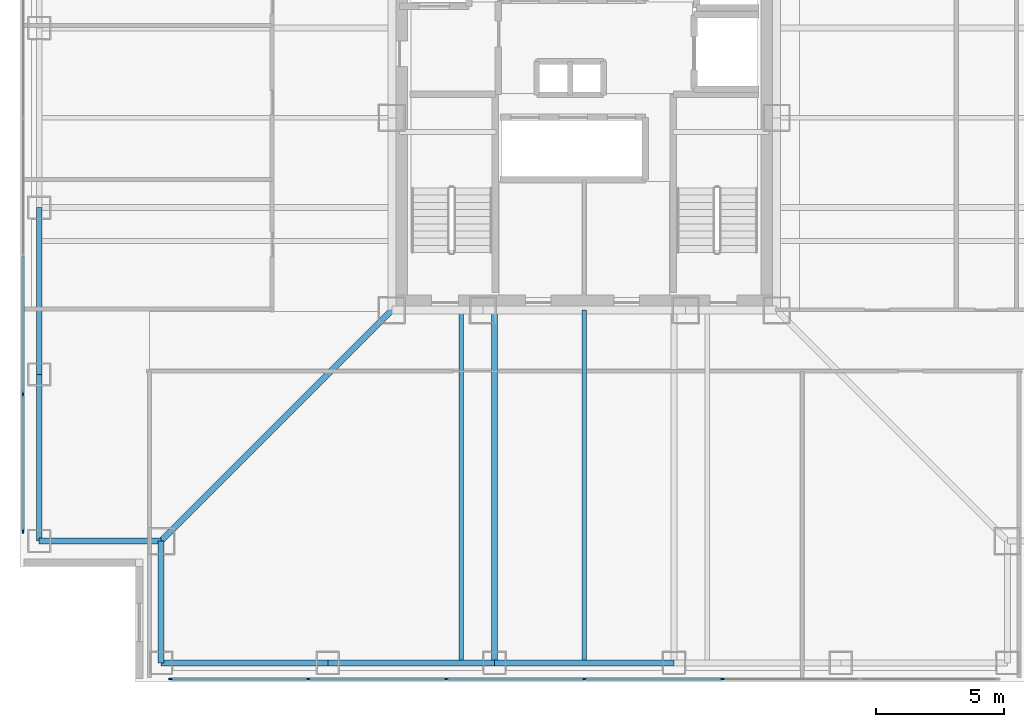
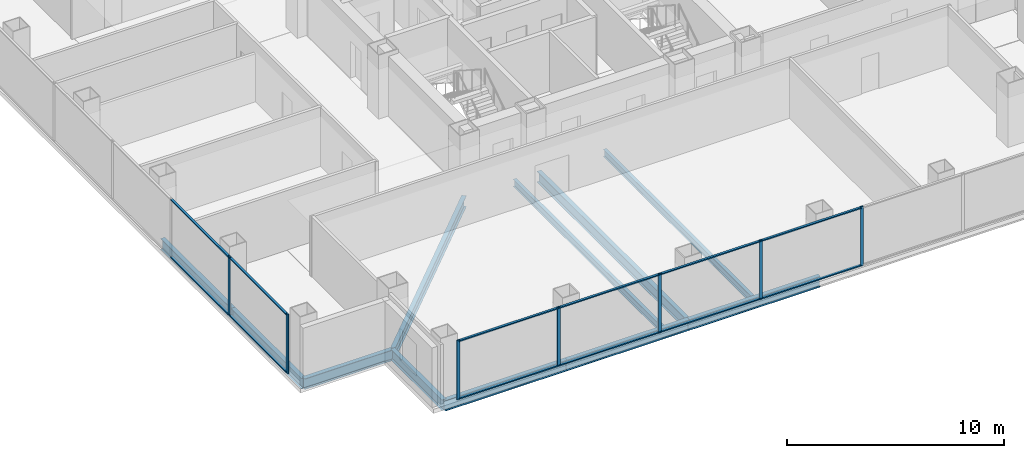
# One storey, part 2 of 14: 19 members, 11 beams, 2 elements without a shape of their own.
"""IFC4 building model written with IfcOpenShell, lengths in metres."""

import ifcopenshell
import ifcopenshell.guid

model = None  # the IFC model being written
_history = None  # IfcOwnerHistory: only IFC2X3 demands one
_inside = {}  # id of a spatial element -> (the spatial element, [elements in it])
_under = {}  # id of a project, library or spatial element -> (it, [spatial elements below it])
_declared = {}  # id of a project -> (the project, [libraries it declares])
_typed = {}  # id of a type object -> (the type object, [elements of that type])
_made_of = {}  # id of a material, layer set ... -> (it, [elements and type objects made of it])


def new_model(schema):
    """Start an empty IFC model of exactly this schema.

    Asked for "IFC4X3", IfcOpenShell would pick the latest addendum, in which some entities
    have other attributes; the version numbers below select the first issue.
    IFC2X3 requires an IfcOwnerHistory on every rooted entity: one is made here for all.
    """
    global model, _history
    if schema == "IFC4X3":
        model = ifcopenshell.file(schema_version=(4, 3, 0, 0))
    else:
        model = ifcopenshell.file(schema=schema)
    _inside.clear()
    _under.clear()
    _declared.clear()
    _typed.clear()
    _made_of.clear()
    _history = None
    if model.schema == "IFC2X3":
        org = make("IfcOrganization", Name="unknown")
        user = make(
            "IfcPersonAndOrganization",
            ThePerson=make("IfcPerson", FamilyName="unknown"),
            TheOrganization=org,
        )
        app = make(
            "IfcApplication",
            ApplicationDeveloper=org,
            Version="unknown",
            ApplicationFullName="unknown",
            ApplicationIdentifier="unknown",
        )
        _history = make(
            "IfcOwnerHistory",
            OwningUser=user,
            OwningApplication=app,
            ChangeAction="ADDED",
            CreationDate=0,
        )
    return model


def make(cls, **values):
    """One entity of the class cls with the attributes given. An attribute that is None is left unset."""
    return model.create_entity(
        cls, **{name: value for name, value in values.items() if value is not None}
    )


def rooted(cls, **values):
    """An entity with a GlobalId (a new one), such as an element, a storey or a relation."""
    return make(cls, GlobalId=ifcopenshell.guid.new(), OwnerHistory=_history, **values)


def si_unit(unit_type, name, prefix=None):
    """IfcSIUnit, for example si_unit("LENGTHUNIT", "METRE", prefix="MILLI")."""
    return make("IfcSIUnit", UnitType=unit_type, Prefix=prefix, Name=name)


def assignment(units):
    """IfcUnitAssignment: the units of a project."""
    return None if units is None else make("IfcUnitAssignment", Units=units)


def point(xyz):
    """IfcCartesianPoint."""
    return None if xyz is None else make("IfcCartesianPoint", Coordinates=xyz)


def direction(xyz):
    """IfcDirection."""
    return None if xyz is None else make("IfcDirection", DirectionRatios=xyz)


def frame(location, z_axis=None, x_axis=None):
    """IfcAxis2Placement3D, a coordinate frame: its origin and axes. An axis left out is left unset."""
    return make(
        "IfcAxis2Placement3D",
        Location=point(location),
        Axis=direction(z_axis),
        RefDirection=direction(x_axis),
    )


def frame_2d(location, x_axis=None):
    """IfcAxis2Placement2D, a coordinate frame in the plane: its origin and x axis."""
    return make(
        "IfcAxis2Placement2D", Location=point(location), RefDirection=direction(x_axis)
    )


def origin():
    """The frame at (0, 0, 0) with its axes left unset."""
    return frame((0.0, 0.0, 0.0))


def origin_2d():
    """The frame at (0, 0) in the plane with its x axis left unset."""
    return frame_2d((0.0, 0.0))


def place(relative_to, where):
    """IfcLocalPlacement: puts the frame where relative to a parent placement (None: the world)."""
    return make(
        "IfcLocalPlacement", PlacementRelTo=relative_to, RelativePlacement=where
    )


def context(
    kind, dimensions, precision=None, world=None, true_north=None, identifier=None
):
    """IfcGeometricRepresentationContext, for example the 3D "Model" context."""
    return make(
        "IfcGeometricRepresentationContext",
        ContextIdentifier=identifier,
        ContextType=kind,
        CoordinateSpaceDimension=dimensions,
        Precision=precision,
        WorldCoordinateSystem=world,
        TrueNorth=true_north,
    )


def subcontext(parent, identifier, kind, view, scale=None):
    """IfcGeometricRepresentationSubContext, for example "Body" below "Model"."""
    return make(
        "IfcGeometricRepresentationSubContext",
        ContextIdentifier=identifier,
        ContextType=kind,
        ParentContext=parent,
        TargetScale=scale,
        TargetView=view,
    )


def project(units=None, contexts=None):
    """IfcProject with its units and contexts."""
    return rooted(
        "IfcProject",
        Name="project",
        RepresentationContexts=contexts,
        UnitsInContext=assignment(units),
    )


def spatial(cls, under=None, at=None, **own):
    """A site, building, storey or space (cls), placed at a placement, below another one or the project."""
    s = rooted(cls, ObjectPlacement=at, **own)
    if under is not None:
        _under.setdefault(under.id(), (under, []))[1].append(s)
    return s


def profile(cls, at=None, kind="AREA", **sizes):
    """A parametric profile (cls). Its sizes go by their IFC names, for example OverallWidth=200.0."""
    return make(cls, ProfileType=kind, Position=at, **sizes)


def rectangle(**sizes):
    """IfcRectangleProfileDef."""
    return profile("IfcRectangleProfileDef", **sizes)


def i_section(**sizes):
    """IfcIShapeProfileDef."""
    return profile("IfcIShapeProfileDef", **sizes)


def extrude(swept, where, along, depth):
    """IfcExtrudedAreaSolid: the profile swept, set in the frame where, extruded along a direction by depth."""
    return make(
        "IfcExtrudedAreaSolid",
        SweptArea=swept,
        Position=where,
        ExtrudedDirection=direction(along),
        Depth=depth,
    )


def shape(context_of_items, identifier, shape_type, items):
    """IfcShapeRepresentation: the items that make up one representation, for example the "Body"."""
    return make(
        "IfcShapeRepresentation",
        ContextOfItems=context_of_items,
        RepresentationIdentifier=identifier,
        RepresentationType=shape_type,
        Items=items,
    )


def material(Name=None, Category=None):
    """IfcMaterial."""
    return make("IfcMaterial", Name=Name, Category=Category)


def layer(
    of_material, thickness, ventilated=None, Name=None, Category=None, Priority=None
):
    """IfcMaterialLayer: one layer of a wall or slab, of a material (None: an air gap)."""
    return make(
        "IfcMaterialLayer",
        Material=of_material,
        LayerThickness=thickness,
        IsVentilated=ventilated,
        Name=Name,
        Category=Category,
        Priority=Priority,
    )


def layer_set(layers, Name=None):
    """IfcMaterialLayerSet."""
    return make("IfcMaterialLayerSet", MaterialLayers=layers, LayerSetName=Name)


def material_profile(
    of_material, cross_section, Name=None, Category=None, Priority=None
):
    """IfcMaterialProfile: a cross section and its material."""
    return make(
        "IfcMaterialProfile",
        Name=Name,
        Material=of_material,
        Profile=cross_section,
        Priority=Priority,
        Category=Category,
    )


def profile_set(profiles, Name=None, composite=None):
    """IfcMaterialProfileSet."""
    return make(
        "IfcMaterialProfileSet",
        Name=Name,
        MaterialProfiles=profiles,
        CompositeProfile=composite,
    )


def made_of(thing, what):
    """Note that an element or type object is made of a material, layer set ...; save() writes the relation."""
    if what is not None:
        _made_of.setdefault(what.id(), (what, []))[1].append(thing)
    return thing


def type_object(cls, material=None, **own):
    """A type object (cls), such as IfcWallType, which elements share."""
    return made_of(rooted(cls, **own), material)


def element(
    cls,
    number,
    at=None,
    inside=None,
    cuts=None,
    type_object=None,
    material=None,
    context=None,
    identifier="Body",
    shape_type=None,
    held_by="IfcProductDefinitionShape",
    body=None,
    shapes=None,
    **own,
):
    """One element of the class cls, such as IfcWall. Its Tag is "e" and its number.

    at: its placement. inside: the storey or other place that contains it. cuts: it is an
    opening in that element (IfcRelVoidsElement). A single representation is given by context,
    identifier, shape_type and body (its items); several are given by shapes. held_by: the class
    of the entity that holds the representations. save() writes the other relations.
    """
    e = rooted(cls, Tag="e%d" % number, ObjectPlacement=at, **own)
    if body is not None:
        shapes = [shape(context, identifier, shape_type, body)]
    if shapes is not None:
        e.Representation = make(held_by, Representations=shapes)
    if inside is not None:
        _inside.setdefault(inside.id(), (inside, []))[1].append(e)
    if cuts is not None:
        rooted(
            "IfcRelVoidsElement", RelatingBuildingElement=cuts, RelatedOpeningElement=e
        )
    if type_object is not None:
        _typed.setdefault(type_object.id(), (type_object, []))[1].append(e)
    return made_of(e, material)


def aggregate(whole, parts):
    """IfcRelAggregates: a whole, such as a stair, and the parts it consists of."""
    return rooted("IfcRelAggregates", RelatingObject=whole, RelatedObjects=parts)


def save(model, path):
    """Write the relations noted so far, then the file.

    IfcRelAggregates (storeys below a building ...), IfcRelContainedInSpatialStructure (elements
    in a storey), IfcRelDefinesByType, IfcRelAssociatesMaterial and IfcRelDeclares: one each for
    every whole, place, type object, material and project.
    """
    for whole, parts in _under.values():
        aggregate(whole, parts)
    for where, things in _inside.values():
        rooted(
            "IfcRelContainedInSpatialStructure",
            RelatedElements=things,
            RelatingStructure=where,
        )
    for kind, things in _typed.values():
        rooted("IfcRelDefinesByType", RelatedObjects=things, RelatingType=kind)
    for what, things in _made_of.values():
        rooted("IfcRelAssociatesMaterial", RelatedObjects=things, RelatingMaterial=what)
    for by, libraries in _declared.values():
        rooted("IfcRelDeclares", RelatingContext=by, RelatedDefinitions=libraries)
    model.write(path)


model = new_model("IFC4")

# Units and contexts
model_context = context("Model", 3, precision=1e-05, world=origin(), true_north=direction((0.0, 1.0)))
body_context = subcontext(model_context, "Body", "Model", "MODEL_VIEW")
ifc_project = project(units=[si_unit("LENGTHUNIT", "METRE"), si_unit("AREAUNIT", "SQUARE_METRE"), si_unit("VOLUMEUNIT", "CUBIC_METRE"), si_unit("PLANEANGLEUNIT", "RADIAN"), si_unit("MASSUNIT", "GRAM", prefix="KILO")], contexts=[model_context])

# Site, building, storey
site_placement = place(None, origin())
site = spatial("IfcSite", under=ifc_project, at=site_placement, CompositionType="ELEMENT")
building_placement = place(site_placement, origin())
building = spatial("IfcBuilding", under=site, at=building_placement, Name="Trevonay Congress Spire", CompositionType="ELEMENT")
storey_placement = place(building_placement, frame((0.0, 0.0, 140.800048828125)))
storey = spatial("IfcBuildingStorey", under=building, at=storey_placement, Name="L36", CompositionType="ELEMENT", Elevation=140.800048828125)

# Beams
ifc_material_1 = material(Name="Steel ASTM A572 Grade 50", Category="steel")
ifc_material_profile_1 = material_profile(ifc_material_1, i_section(OverallWidth=0.22998046875, OverallDepth=0.616943359375, WebThickness=0.01318359375, FlangeThickness=0.022216796875, FilletRadius=0.01611328125, at=origin_2d()), Name="W610x140")
ifc_profile_set_1 = profile_set([ifc_material_profile_1], Name="Steel ASTM A572 Grade 50")
beam_type_1 = type_object("IfcBeamType", Name="BM-GIRD-W610X140", PredefinedType="BEAM", material=ifc_profile_set_1)
beam_1_placement = place(storey_placement, frame((-7.5, -7.5, -0.548583984375), z_axis=(-0.707106781187, -0.707106781187, 0.0), x_axis=(0.707106781187, -0.707106781187, 0.0)))
element("IfcBeam", 1, at=beam_1_placement, inside=storey, type_object=beam_type_1, Name="L36 structural beam BM-L36-CDSW", PredefinedType="BEAM", context=body_context, shape_type="SweptSolid", body=[
    extrude(i_section(OverallWidth=0.22998046875, OverallDepth=0.616943359375, WebThickness=0.01318359375, FlangeThickness=0.022216796875, FilletRadius=0.01611328125, at=origin_2d()), origin(), (0.0, 0.0, 1.0), 12.72802734375),
])
beam_2_placement = place(storey_placement, frame((-3.5, -7.5, -0.548583984375), z_axis=(0.0, -1.0, 0.0), x_axis=(1.0, 0.0, 0.0)))
element("IfcBeam", 2, at=beam_2_placement, inside=storey, type_object=beam_type_1, Name="L36 structural beam BM-L36-GS-M", PredefinedType="BEAM", context=body_context, shape_type="SweptSolid", body=[
    extrude(i_section(OverallWidth=0.22998046875, OverallDepth=0.616943359375, WebThickness=0.01318359375, FlangeThickness=0.022216796875, FilletRadius=0.01611328125, at=origin_2d()), origin(), (0.0, 0.0, 1.0), 13.75),
])
ifc_material_profile_2 = material_profile(ifc_material_1, i_section(OverallWidth=0.22802734375, OverallDepth=0.60791015625, WebThickness=0.01123046875, FlangeThickness=0.017333984375, FilletRadius=0.01611328125, at=origin_2d()), Name="W610x113")
ifc_profile_set_2 = profile_set([ifc_material_profile_2], Name="Steel ASTM A572 Grade 50")
beam_type_2 = type_object("IfcBeamType", Name="BM-RING-W610X113", PredefinedType="BEAM", material=ifc_profile_set_2)
for number, where, z_axis, x_axis, name in (
    (3, (-16.5, -21.25, -0.5439453125), (1.0, 0.0, 0.0), (0.0, 1.0, 0.0), "L36 structural beam BM-L36-PS1"),
    (4, (-21.25, -16.5, -0.5439453125), (0.0, 1.0, 0.0), (-1.0, 0.0, 0.0), "L36 structural beam BM-L36-PW1"),
    (5, (-10.0, -21.25, -0.5439453125), (1.0, 0.0, 0.0), (0.0, 1.0, 0.0), "L36 structural beam BM-L36-PS2"),
    (6, (-21.25, -10.0, -0.5439453125), (0.0, 1.0, 0.0), (-1.0, 0.0, 0.0), "L36 structural beam BM-L36-PW2"),
):
    element("IfcBeam", number, at=place(storey_placement, frame(where, z_axis=z_axis, x_axis=x_axis)), inside=storey, type_object=beam_type_2, Name=name, PredefinedType="BEAM", context=body_context, shape_type="SweptSolid", body=[
        extrude(i_section(OverallWidth=0.22802734375, OverallDepth=0.60791015625, WebThickness=0.01123046875, FlangeThickness=0.017333984375, FilletRadius=0.01611328125, at=origin_2d()), origin(), (0.0, 0.0, 1.0), 6.5),
    ])
beam_3_placement = place(storey_placement, frame((-3.5, -21.25, -0.5439453125), z_axis=(1.0, 0.0, 0.0), x_axis=(0.0, 1.0, 0.0)))
element("IfcBeam", 7, at=beam_3_placement, inside=storey, type_object=beam_type_2, Name="L36 structural beam BM-L36-PS3", PredefinedType="BEAM", context=body_context, shape_type="SweptSolid", body=[
    extrude(i_section(OverallWidth=0.22802734375, OverallDepth=0.60791015625, WebThickness=0.01123046875, FlangeThickness=0.017333984375, FilletRadius=0.01611328125, at=origin_2d()), origin(), (0.0, 0.0, 1.0), 7.0),
])
for number, where, z_axis, x_axis, name in (
    (8, (-16.5, -21.25, -0.5439453125), (0.0, 1.0, 0.0), (-1.0, 0.0, 0.0), "L36 structural beam BM-L36-N1SW"),
    (9, (-21.25, -16.5, -0.5439453125), (1.0, 0.0, 0.0), (0.0, 1.0, 0.0), "L36 structural beam BM-L36-N2SW"),
):
    element("IfcBeam", number, at=place(storey_placement, frame(where, z_axis=z_axis, x_axis=x_axis)), inside=storey, type_object=beam_type_2, Name=name, PredefinedType="BEAM", context=body_context, shape_type="SweptSolid", body=[
        extrude(i_section(OverallWidth=0.22802734375, OverallDepth=0.60791015625, WebThickness=0.01123046875, FlangeThickness=0.017333984375, FilletRadius=0.01611328125, at=origin_2d()), origin(), (0.0, 0.0, 1.0), 4.75),
    ])

# Curtain wall, members
ifc_material_2 = material(Name="Pale Anodised Aluminium EN AW-6063-T6", Category="aluminium")
ifc_layer = layer(ifc_material_2, 0.175048828125, Name="Pale Anodised Aluminium EN AW-6063-T6")
ifc_layer_set = layer_set([ifc_layer], Name="Pale Anodised Aluminium EN AW-6063-T6")
curtain_wall_type = type_object("IfcCurtainWallType", Name="CW-SYS03-CONGRESS-PALE-METAL", PredefinedType="NOTDEFINED", material=ifc_layer_set)
curtain_wall_1_placement = place(storey_placement, origin())
curtain_wall_1 = element("IfcCurtainWall", 10, at=curtain_wall_1_placement, inside=storey, type_object=curtain_wall_type, Name="L36 S unitised curtain wall", PredefinedType="NOTDEFINED")
ifc_material_profile_3 = material_profile(ifc_material_2, rectangle(XDim=0.06005859375, YDim=0.159912109375, at=origin_2d()), Name="CW-MULLION-160-ALUMINIUM")
ifc_profile_set_3 = profile_set([ifc_material_profile_3], Name="Pale Anodised Aluminium EN AW-6063-T6")
member_type_1 = type_object("IfcMemberType", Name="CW-MULLION-160-ALUMINIUM", PredefinedType="MULLION", material=ifc_profile_set_3)
member_1_placement = place(storey_placement, frame((-16.1201171875, -21.8798828125, 0.0), z_axis=(0.0, 0.0, 1.0), x_axis=(0.0, 1.0, 0.0)))
member_1 = element("IfcMember", 11, at=member_1_placement, type_object=member_type_1, Name="CW03 mullion 1", PredefinedType="MULLION", context=body_context, shape_type="SweptSolid", body=[
    extrude(rectangle(XDim=0.06005859375, YDim=0.159912109375, at=origin_2d()), origin(), (0.0, 0.0, 1.0), 3.35986328125),
])
member_2_placement = place(storey_placement, frame((-10.7666015625, -21.8798828125, 0.0), z_axis=(0.0, 0.0, 1.0), x_axis=(0.0, 1.0, 0.0)))
member_2 = element("IfcMember", 12, at=member_2_placement, type_object=member_type_1, Name="CW03 mullion 2", PredefinedType="MULLION", context=body_context, shape_type="SweptSolid", body=[
    extrude(rectangle(XDim=0.06005859375, YDim=0.159912109375, at=origin_2d()), origin(), (0.0, 0.0, 1.0), 3.35986328125),
])
member_3_placement = place(storey_placement, frame((-5.38330078125, -21.8798828125, 0.0), z_axis=(0.0, 0.0, 1.0), x_axis=(0.0, 1.0, 0.0)))
member_3 = element("IfcMember", 13, at=member_3_placement, type_object=member_type_1, Name="CW03 mullion 3", PredefinedType="MULLION", context=body_context, shape_type="SweptSolid", body=[
    extrude(rectangle(XDim=0.06005859375, YDim=0.159912109375, at=origin_2d()), origin(), (0.0, 0.0, 1.0), 3.35986328125),
])
member_4_placement = place(storey_placement, frame((0.0, -21.8798828125, 0.0), z_axis=(0.0, 0.0, 1.0), x_axis=(0.0, 1.0, 0.0)))
member_4 = element("IfcMember", 14, at=member_4_placement, type_object=member_type_1, Name="CW03 mullion 4", PredefinedType="MULLION", context=body_context, shape_type="SweptSolid", body=[
    extrude(rectangle(XDim=0.06005859375, YDim=0.159912109375, at=origin_2d()), origin(), (0.0, 0.0, 1.0), 3.35986328125),
])
member_5_placement = place(storey_placement, frame((5.38330078125, -21.8798828125, 0.0), z_axis=(0.0, 0.0, 1.0), x_axis=(0.0, 1.0, 0.0)))
member_5 = element("IfcMember", 15, at=member_5_placement, type_object=member_type_1, Name="CW03 mullion 5", PredefinedType="MULLION", context=body_context, shape_type="SweptSolid", body=[
    extrude(rectangle(XDim=0.06005859375, YDim=0.159912109375, at=origin_2d()), origin(), (0.0, 0.0, 1.0), 3.35986328125),
])

curtain_wall_2_placement = place(storey_placement, origin())
curtain_wall_2 = element("IfcCurtainWall", 16, at=curtain_wall_2_placement, inside=storey, type_object=curtain_wall_type, Name="L36 W unitised curtain wall", PredefinedType="NOTDEFINED")
member_6_placement = place(storey_placement, frame((-21.8798828125, -16.1201171875, 0.0), z_axis=(0.0, 0.0, 1.0), x_axis=(-1.0, 0.0, 0.0)))
member_6 = element("IfcMember", 17, at=member_6_placement, type_object=member_type_1, Name="CW03 mullion 1", PredefinedType="MULLION", context=body_context, shape_type="SweptSolid", body=[
    extrude(rectangle(XDim=0.06005859375, YDim=0.159912109375, at=origin_2d()), origin(), (0.0, 0.0, 1.0), 3.35986328125),
])
member_7_placement = place(storey_placement, frame((-21.8798828125, -10.7666015625, 0.0), z_axis=(0.0, 0.0, 1.0), x_axis=(-1.0, 0.0, 0.0)))
member_7 = element("IfcMember", 18, at=member_7_placement, type_object=member_type_1, Name="CW03 mullion 2", PredefinedType="MULLION", context=body_context, shape_type="SweptSolid", body=[
    extrude(rectangle(XDim=0.06005859375, YDim=0.159912109375, at=origin_2d()), origin(), (0.0, 0.0, 1.0), 3.35986328125),
])

# Member
ifc_material_profile_4 = material_profile(ifc_material_2, rectangle(XDim=0.1201171875, YDim=0.06005859375, at=origin_2d()), Name="CW-TRANSOM-120-ALUMINIUM")
ifc_profile_set_4 = profile_set([ifc_material_profile_4], Name="Pale Anodised Aluminium EN AW-6063-T6")
member_type_2 = type_object("IfcMemberType", Name="CW-TRANSOM-120-ALUMINIUM", PredefinedType="USERDEFINED", material=ifc_profile_set_4)
member_8_placement = place(storey_placement, frame((-16.090087890625, -21.8798828125, 0.06005859375), z_axis=(1.0, 0.0, 0.0), x_axis=(0.0, 1.0, 0.0)))
member_8 = element("IfcMember", 19, at=member_8_placement, type_object=member_type_2, Name="CW03 transom 1.1", ObjectType="TRANSOM", PredefinedType="USERDEFINED", context=body_context, shape_type="SweptSolid", body=[
    extrude(rectangle(XDim=0.1201171875, YDim=0.06005859375, at=origin_2d()), origin(), (0.0, 0.0, 1.0), 5.29345703125),
])

member_9_placement = place(storey_placement, frame((-16.090087890625, -21.8798828125, 3.300048828125), z_axis=(1.0, 0.0, 0.0), x_axis=(0.0, 1.0, 0.0)))
member_9 = element("IfcMember", 20, at=member_9_placement, type_object=member_type_2, Name="CW03 transom 1.2", ObjectType="TRANSOM", PredefinedType="USERDEFINED", context=body_context, shape_type="SweptSolid", body=[
    extrude(rectangle(XDim=0.1201171875, YDim=0.06005859375, at=origin_2d()), origin(), (0.0, 0.0, 1.0), 5.29345703125),
])

member_10_placement = place(storey_placement, frame((-10.736572265625, -21.8798828125, 0.06005859375), z_axis=(1.0, 0.0, 0.0), x_axis=(0.0, 1.0, 0.0)))
member_10 = element("IfcMember", 21, at=member_10_placement, type_object=member_type_2, Name="CW03 transom 2.1", ObjectType="TRANSOM", PredefinedType="USERDEFINED", context=body_context, shape_type="SweptSolid", body=[
    extrude(rectangle(XDim=0.1201171875, YDim=0.06005859375, at=origin_2d()), origin(), (0.0, 0.0, 1.0), 5.3232421875),
])

member_11_placement = place(storey_placement, frame((-10.736572265625, -21.8798828125, 3.300048828125), z_axis=(1.0, 0.0, 0.0), x_axis=(0.0, 1.0, 0.0)))
member_11 = element("IfcMember", 22, at=member_11_placement, type_object=member_type_2, Name="CW03 transom 2.2", ObjectType="TRANSOM", PredefinedType="USERDEFINED", context=body_context, shape_type="SweptSolid", body=[
    extrude(rectangle(XDim=0.1201171875, YDim=0.06005859375, at=origin_2d()), origin(), (0.0, 0.0, 1.0), 5.3232421875),
])

member_12_placement = place(storey_placement, frame((-5.353271484375, -21.8798828125, 0.06005859375), z_axis=(1.0, 0.0, 0.0), x_axis=(0.0, 1.0, 0.0)))
member_12 = element("IfcMember", 23, at=member_12_placement, type_object=member_type_2, Name="CW03 transom 3.1", ObjectType="TRANSOM", PredefinedType="USERDEFINED", context=body_context, shape_type="SweptSolid", body=[
    extrude(rectangle(XDim=0.1201171875, YDim=0.06005859375, at=origin_2d()), origin(), (0.0, 0.0, 1.0), 5.3232421875),
])

member_13_placement = place(storey_placement, frame((-5.353271484375, -21.8798828125, 3.300048828125), z_axis=(1.0, 0.0, 0.0), x_axis=(0.0, 1.0, 0.0)))
member_13 = element("IfcMember", 24, at=member_13_placement, type_object=member_type_2, Name="CW03 transom 3.2", ObjectType="TRANSOM", PredefinedType="USERDEFINED", context=body_context, shape_type="SweptSolid", body=[
    extrude(rectangle(XDim=0.1201171875, YDim=0.06005859375, at=origin_2d()), origin(), (0.0, 0.0, 1.0), 5.3232421875),
])

member_14_placement = place(storey_placement, frame((0.030029296875, -21.8798828125, 0.06005859375), z_axis=(1.0, 0.0, 0.0), x_axis=(0.0, 1.0, 0.0)))
member_14 = element("IfcMember", 25, at=member_14_placement, type_object=member_type_2, Name="CW03 transom 4.1", ObjectType="TRANSOM", PredefinedType="USERDEFINED", context=body_context, shape_type="SweptSolid", body=[
    extrude(rectangle(XDim=0.1201171875, YDim=0.06005859375, at=origin_2d()), origin(), (0.0, 0.0, 1.0), 5.3232421875),
])

member_15_placement = place(storey_placement, frame((0.030029296875, -21.8798828125, 3.300048828125), z_axis=(1.0, 0.0, 0.0), x_axis=(0.0, 1.0, 0.0)))
member_15 = element("IfcMember", 26, at=member_15_placement, type_object=member_type_2, Name="CW03 transom 4.2", ObjectType="TRANSOM", PredefinedType="USERDEFINED", context=body_context, shape_type="SweptSolid", body=[
    extrude(rectangle(XDim=0.1201171875, YDim=0.06005859375, at=origin_2d()), origin(), (0.0, 0.0, 1.0), 5.3232421875),
])

aggregate(curtain_wall_1, [member_1, member_2, member_3, member_4, member_5, member_8, member_9, member_10, member_11, member_12, member_13, member_14, member_15])

member_16_placement = place(storey_placement, frame((-21.8798828125, -16.090087890625, 0.06005859375), z_axis=(0.0, 1.0, 0.0), x_axis=(-1.0, 0.0, 0.0)))
member_16 = element("IfcMember", 27, at=member_16_placement, type_object=member_type_2, Name="CW03 transom 1.1", ObjectType="TRANSOM", PredefinedType="USERDEFINED", context=body_context, shape_type="SweptSolid", body=[
    extrude(rectangle(XDim=0.1201171875, YDim=0.06005859375, at=origin_2d()), origin(), (0.0, 0.0, 1.0), 5.29345703125),
])

member_17_placement = place(storey_placement, frame((-21.8798828125, -16.090087890625, 3.300048828125), z_axis=(0.0, 1.0, 0.0), x_axis=(-1.0, 0.0, 0.0)))
member_17 = element("IfcMember", 28, at=member_17_placement, type_object=member_type_2, Name="CW03 transom 1.2", ObjectType="TRANSOM", PredefinedType="USERDEFINED", context=body_context, shape_type="SweptSolid", body=[
    extrude(rectangle(XDim=0.1201171875, YDim=0.06005859375, at=origin_2d()), origin(), (0.0, 0.0, 1.0), 5.29345703125),
])

member_18_placement = place(storey_placement, frame((-21.8798828125, -10.736572265625, 0.06005859375), z_axis=(0.0, 1.0, 0.0), x_axis=(-1.0, 0.0, 0.0)))
member_18 = element("IfcMember", 29, at=member_18_placement, type_object=member_type_2, Name="CW03 transom 2.1", ObjectType="TRANSOM", PredefinedType="USERDEFINED", context=body_context, shape_type="SweptSolid", body=[
    extrude(rectangle(XDim=0.1201171875, YDim=0.06005859375, at=origin_2d()), origin(), (0.0, 0.0, 1.0), 5.3232421875),
])

member_19_placement = place(storey_placement, frame((-21.8798828125, -10.736572265625, 3.300048828125), z_axis=(0.0, 1.0, 0.0), x_axis=(-1.0, 0.0, 0.0)))
member_19 = element("IfcMember", 30, at=member_19_placement, type_object=member_type_2, Name="CW03 transom 2.2", ObjectType="TRANSOM", PredefinedType="USERDEFINED", context=body_context, shape_type="SweptSolid", body=[
    extrude(rectangle(XDim=0.1201171875, YDim=0.06005859375, at=origin_2d()), origin(), (0.0, 0.0, 1.0), 5.3232421875),
])

aggregate(curtain_wall_2, [member_6, member_7, member_16, member_17, member_18, member_19])

# Beams
ifc_material_profile_5 = material_profile(ifc_material_1, i_section(OverallWidth=0.177978515625, OverallDepth=0.406982421875, WebThickness=0.0078125, FlangeThickness=0.0126953125, FilletRadius=0.012939453125, at=origin_2d()), Name="W410x60")
ifc_profile_set_5 = profile_set([ifc_material_profile_5], Name="Steel ASTM A572 Grade 50")
beam_type_3 = type_object("IfcBeamType", Name="JS-COMP-W410X60", PredefinedType="JOIST", material=ifc_profile_set_5)
for number, where, z_axis, x_axis, name in (
    (31, (-4.800048828125, -21.25, -0.443603515625), (0.0, 1.0, 0.0), (-1.0, 0.0, 0.0), "L36 structural beam JS-L36-NS-S1"),
    (32, (0.0, -21.25, -0.443603515625), (0.0, 1.0, 0.0), (-1.0, 0.0, 0.0), "L36 structural beam JS-L36-NS-S2"),
):
    element("IfcBeam", number, at=place(storey_placement, frame(where, z_axis=z_axis, x_axis=x_axis)), inside=storey, type_object=beam_type_3, Name=name, PredefinedType="JOIST", context=body_context, shape_type="SweptSolid", body=[
        extrude(i_section(OverallWidth=0.177978515625, OverallDepth=0.406982421875, WebThickness=0.0078125, FlangeThickness=0.0126953125, FilletRadius=0.012939453125, at=origin_2d()), origin(), (0.0, 0.0, 1.0), 13.75),
    ])

save(model, "model.ifc")
